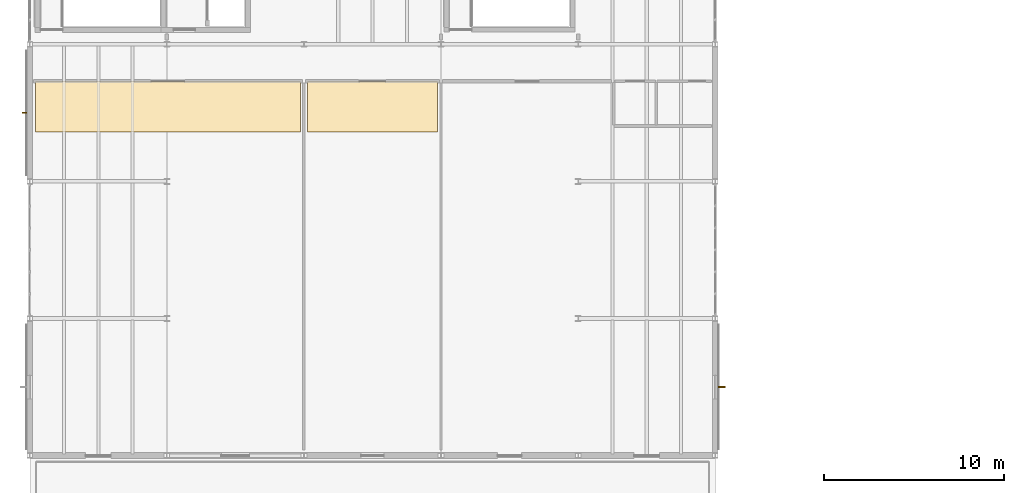
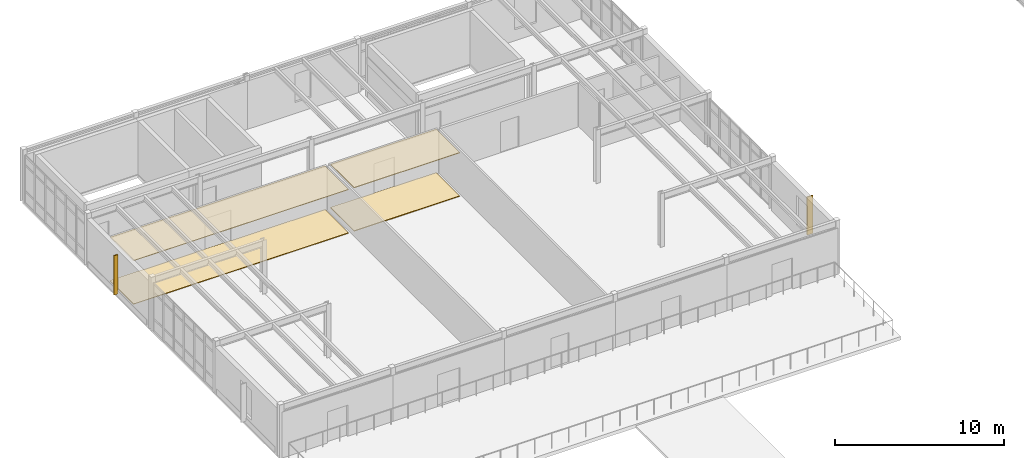
# One storey, part 105 of 114: 4 coverings, 2 shading devices.
"""IFC4 building model written with IfcOpenShell, lengths in metres."""

from ifc_helpers import new_model, si_unit, direction, frame, origin, origin_2d, place, context, subcontext, project, spatial, polyline, rectangle, outline, extrude, material, layer, layer_set, type_object, element, save


model = new_model("IFC4")

# Units and contexts
model_context = context("Model", 3, precision=1e-05, world=origin(), true_north=direction((0.0, 1.0)))
body_context = subcontext(model_context, "Body", "Model", "MODEL_VIEW")
ifc_project = project(units=[si_unit("LENGTHUNIT", "METRE"), si_unit("AREAUNIT", "SQUARE_METRE"), si_unit("VOLUMEUNIT", "CUBIC_METRE"), si_unit("PLANEANGLEUNIT", "RADIAN"), si_unit("MASSUNIT", "GRAM", prefix="KILO")], contexts=[model_context])

# Site, building, storey
site_placement = place(None, origin())
site = spatial("IfcSite", under=ifc_project, at=site_placement, CompositionType="ELEMENT")
building_placement = place(site_placement, origin())
building = spatial("IfcBuilding", under=site, at=building_placement, Name="Montecoro Central Library", CompositionType="ELEMENT")
storey_placement = place(building_placement, frame((0.0, 0.0, 13.260009765625)))
storey = spatial("IfcBuildingStorey", under=building, at=storey_placement, Name="L03", CompositionType="ELEMENT", Elevation=13.260009765625)

# Coverings
ifc_material_1 = material(Name="Acoustic perforated mineral ceiling")
ifc_layer_1 = layer(ifc_material_1, 0.0400390625)
ifc_layer_set_1 = layer_set([ifc_layer_1], Name="Acoustic perforated mineral ceiling")
covering_type_1 = type_object("IfcCoveringType", Name="COV-CLG-03", PredefinedType="CEILING", material=ifc_layer_set_1)
covering_1_placement = place(storey_placement, frame((0.0, 0.0, 3.139892578125)))
element("IfcCovering", 1, at=covering_1_placement, inside=storey, type_object=covering_type_1, Name="CLG-SP-V4-L03-R1P1", PredefinedType="CEILING", context=body_context, shape_type="SweptSolid", body=[
    extrude(outline(polyline([(5.320068359375, 98.949951171875), (20.010009765625, 98.949951171875), (20.010009765625, 101.75), (5.320068359375, 101.75), (5.320068359375, 98.949951171875)])), origin(), (0.0, 0.0, 1.0), 0.0400390625),
])
ifc_layer_2 = layer(ifc_material_1, 0.048095703125)
ifc_layer_set_2 = layer_set([ifc_layer_2], Name="Acoustic perforated mineral ceiling")
covering_type_2 = type_object("IfcCoveringType", Name="COV-CLG-04", PredefinedType="CEILING", material=ifc_layer_set_2)
covering_2_placement = place(storey_placement, frame((0.0, 0.0, 3.132080078125)))
element("IfcCovering", 2, at=covering_2_placement, inside=storey, type_object=covering_type_2, Name="CLG-SP-V4-L03-R2P1", PredefinedType="CEILING", context=body_context, shape_type="SweptSolid", body=[
    extrude(outline(polyline([(20.389892578125, 98.949951171875), (27.610107421875, 98.949951171875), (27.610107421875, 101.75), (20.389892578125, 101.75), (20.389892578125, 98.949951171875)])), origin(), (0.0, 0.0, 1.0), 0.0478515625),
])
ifc_material_2 = material(Name="Neapolitan brass-inlaid terrazzo flooring")
ifc_layer_3 = layer(ifc_material_2, 0.0439453125)
ifc_layer_set_3 = layer_set([ifc_layer_3], Name="Neapolitan brass-inlaid terrazzo flooring")
covering_type_3 = type_object("IfcCoveringType", Name="COV-FLR-03", PredefinedType="FLOORING", material=ifc_layer_set_3)
covering_3_placement = place(storey_placement, origin())
element("IfcCovering", 3, at=covering_3_placement, inside=storey, type_object=covering_type_3, Name="FLR-SP-V4-L03-R1P1", PredefinedType="FLOORING", context=body_context, shape_type="SweptSolid", body=[
    extrude(outline(polyline([(5.320068359375, 98.949951171875), (20.010009765625, 98.949951171875), (20.010009765625, 101.75), (5.320068359375, 101.75), (5.320068359375, 98.949951171875)])), origin(), (0.0, 0.0, 1.0), 0.0439453125),
])
ifc_layer_4 = layer(ifc_material_2, 0.052001953125)
ifc_layer_set_4 = layer_set([ifc_layer_4], Name="Neapolitan brass-inlaid terrazzo flooring")
covering_type_4 = type_object("IfcCoveringType", Name="COV-FLR-04", PredefinedType="FLOORING", material=ifc_layer_set_4)
covering_4_placement = place(storey_placement, origin())
element("IfcCovering", 4, at=covering_4_placement, inside=storey, type_object=covering_type_4, Name="FLR-SP-V4-L03-R2P1", PredefinedType="FLOORING", context=body_context, shape_type="SweptSolid", body=[
    extrude(outline(polyline([(20.389892578125, 98.949951171875), (27.610107421875, 98.949951171875), (27.610107421875, 101.75), (20.389892578125, 101.75), (20.389892578125, 98.949951171875)])), origin(), (0.0, 0.0, 1.0), 0.052001953125),
])

# Shading devices
ifc_material_3 = material(Name="Architectural bronze solar fin", Category="aluminium")
shading_device_type_1 = type_object("IfcShadingDeviceType", Name="SHD-FIN-11", PredefinedType="USERDEFINED", material=ifc_material_3)
shading_device_1_placement = place(storey_placement, frame((43.3505859375, 84.800048828125, 0.364990234375), z_axis=(0.0, 0.0, 1.0), x_axis=(0.0, 1.0, 0.0)))
element("IfcShadingDevice", 5, at=shading_device_1_placement, inside=storey, type_object=shading_device_type_1, Name="V4-L03-FIN-E0", ObjectType="SOLAR FIN", PredefinedType="USERDEFINED", context=body_context, shape_type="SweptSolid", body=[
    extrude(rectangle(XDim=0.06005859375, YDim=0.3798828125, at=origin_2d()), origin(), (0.0, 0.0, 1.0), 2.75),
])
shading_device_type_2 = type_object("IfcShadingDeviceType", Name="SHD-FIN-13", PredefinedType="USERDEFINED", material=ifc_material_3)
shading_device_2_placement = place(storey_placement, frame((4.70947265625, 100.0, 0.31494140625), z_axis=(0.0, 0.0, 1.0), x_axis=(0.0, -1.0, 0.0)))
element("IfcShadingDevice", 6, at=shading_device_2_placement, inside=storey, type_object=shading_device_type_2, Name="V4-L03-FIN-W2", ObjectType="SOLAR FIN", PredefinedType="USERDEFINED", context=body_context, shape_type="SweptSolid", body=[
    extrude(rectangle(XDim=0.06005859375, YDim=0.260009765625, at=origin_2d()), origin(), (0.0, 0.0, 1.0), 2.85009765625),
])

save(model, "model.ifc")
